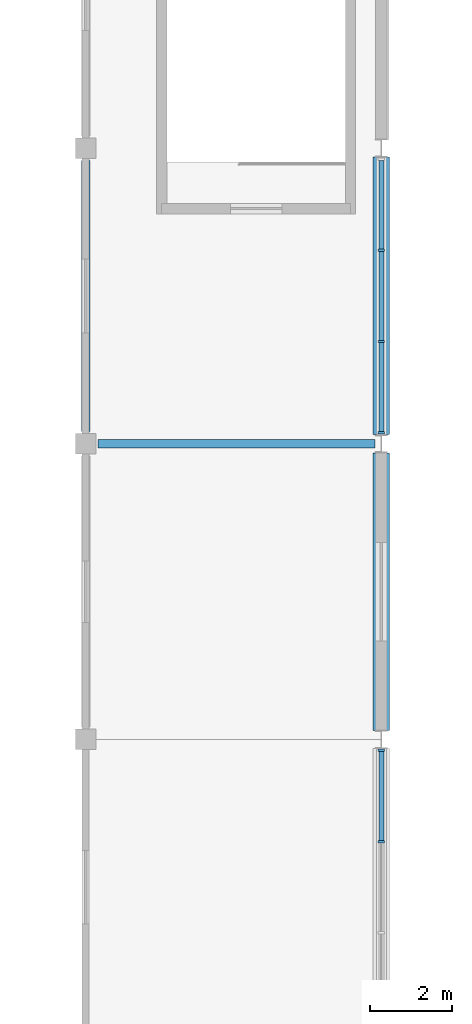
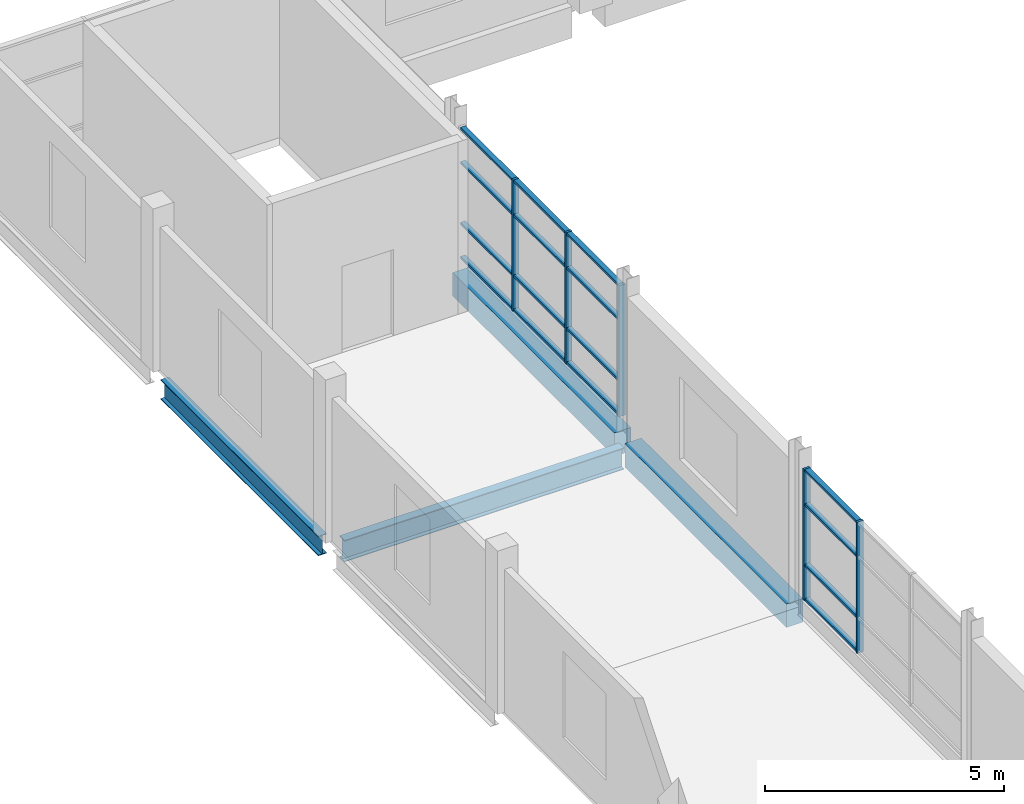
# One storey, part 18 of 71: 21 members, 4 beams, 2 elements without a shape of their own.
"""IFC4 building model written with IfcOpenShell, lengths in metres."""

from ifc_helpers import new_model, si_unit, direction, frame, origin, origin_2d, place, context, subcontext, project, spatial, rectangle, i_section, extrude, material, material_profile, profile_set, type_object, element, aggregate, save


model = new_model("IFC4")

# Units and contexts
model_context = context("Model", 3, precision=1e-05, world=origin(), true_north=direction((0.0, 1.0)))
body_context = subcontext(model_context, "Body", "Model", "MODEL_VIEW")
ifc_project = project(units=[si_unit("LENGTHUNIT", "METRE"), si_unit("AREAUNIT", "SQUARE_METRE"), si_unit("VOLUMEUNIT", "CUBIC_METRE"), si_unit("PLANEANGLEUNIT", "RADIAN"), si_unit("MASSUNIT", "GRAM", prefix="KILO")], contexts=[model_context])

# Site, building, storey
site_placement = place(None, origin())
site = spatial("IfcSite", under=ifc_project, at=site_placement, CompositionType="ELEMENT")
building_placement = place(site_placement, origin())
building = spatial("IfcBuilding", under=site, at=building_placement, Name="Sardonyx Promenade Sports Hall", CompositionType="ELEMENT")
storey_placement = place(building_placement, frame((0.0, 0.0, 16.0)))
storey = spatial("IfcBuildingStorey", under=building, at=storey_placement, Name="L03", CompositionType="ELEMENT", Elevation=16.0)

# Beams
ifc_material_1 = material(Name="Steel S355JR", Category="steel")
ifc_material_profile_1 = material_profile(ifc_material_1, i_section(OverallWidth=0.199951171875, OverallDepth=0.5, WebThickness=0.01025390625, FlangeThickness=0.01611328125, at=origin_2d()))
ifc_profile_set_1 = profile_set([ifc_material_profile_1], Name="Steel S355JR")
beam_type_1 = type_object("IfcBeamType", Name="Bm_Primary_IPE500", PredefinedType="BEAM", material=ifc_profile_set_1)
beam_1_placement = place(storey_placement, frame((21.60009765625, 57.89990234375, -0.449951171875), z_axis=(0.0, 1.0, 0.0), x_axis=(-1.0, 0.0, 0.0)))
element("IfcBeam", 1, at=beam_1_placement, inside=storey, type_object=beam_type_1, Name="Beam SB06 L03 #817", PredefinedType="BEAM", context=body_context, shape_type="SweptSolid", body=[
    extrude(i_section(OverallWidth=0.199951171875, OverallDepth=0.5, WebThickness=0.01025390625, FlangeThickness=0.01611328125, at=origin_2d()), origin(), (0.0, 0.0, 1.0), 6.60009765625),
])
ifc_material_2 = material(Name="Steel S355JR", Category="steel")
ifc_material_profile_2 = material_profile(ifc_material_2, i_section(OverallWidth=0.2099609375, OverallDepth=0.550048828125, WebThickness=0.010986328125, FlangeThickness=0.01708984375, at=origin_2d()))
ifc_profile_set_2 = profile_set([ifc_material_profile_2], Name="Steel S355JR")
beam_type_2 = type_object("IfcBeamType", Name="Bm_Primary_IPE550", PredefinedType="BEAM", material=ifc_profile_set_2)
beam_2_placement = place(storey_placement, frame((21.89990234375, 57.60009765625, -0.47509765625), z_axis=(1.0, 0.0, 0.0), x_axis=(0.0, 1.0, 0.0)))
element("IfcBeam", 2, at=beam_2_placement, inside=storey, type_object=beam_type_2, Name="Beam SB03 L03 #784", PredefinedType="BEAM", context=body_context, shape_type="SweptSolid", body=[
    extrude(i_section(OverallWidth=0.2099609375, OverallDepth=0.550048828125, WebThickness=0.010986328125, FlangeThickness=0.01708984375, at=origin_2d()), origin(), (0.0, 0.0, 1.0), 6.75),
])
ifc_material_3 = material(Name="Concrete C40/50", Category="concrete")
ifc_material_profile_3 = material_profile(ifc_material_3, rectangle(XDim=0.39990234375, YDim=0.60009765625, at=origin_2d()))
ifc_profile_set_3 = profile_set([ifc_material_profile_3], Name="Concrete C40/50")
beam_type_3 = type_object("IfcBeamType", Name="Bm_Spandrel_RC600", PredefinedType="SPANDREL", material=ifc_profile_set_3)
beam_3_placement = place(storey_placement, frame((28.800048828125, 50.6201171875, -0.300048828125), z_axis=(0.0, 1.0, 0.0), x_axis=(-1.0, 0.0, 0.0)))
element("IfcBeam", 3, at=beam_3_placement, inside=storey, type_object=beam_type_3, Name="Beam SPB1 L03 #826", PredefinedType="SPANDREL", context=body_context, shape_type="SweptSolid", body=[
    extrude(rectangle(XDim=0.39990234375, YDim=0.60009765625, at=origin_2d()), origin(), (0.0, 0.0, 1.0), 6.759765625),
])
beam_4_placement = place(storey_placement, frame((28.800048828125, 57.820068359375, -0.300048828125), z_axis=(0.0, 1.0, 0.0), x_axis=(-1.0, 0.0, 0.0)))
element("IfcBeam", 4, at=beam_4_placement, inside=storey, type_object=beam_type_3, Name="Beam SPB1 L03 #827", PredefinedType="SPANDREL", context=body_context, shape_type="SweptSolid", body=[
    extrude(rectangle(XDim=0.39990234375, YDim=0.60009765625, at=origin_2d()), origin(), (0.0, 0.0, 1.0), 6.760009765625),
])

# Curtain wall, members
ifc_material_4 = material(Name="Aluminium 6063-T6", Category="aluminium")
curtain_wall_type = type_object("IfcCurtainWallType", Name="CW_South_L03_640", PredefinedType="USERDEFINED", material=ifc_material_4)
curtain_wall_1_placement = place(storey_placement, origin())
curtain_wall_1 = element("IfcCurtainWall", 5, at=curtain_wall_1_placement, inside=storey, type_object=curtain_wall_type, Name="Curtain wall CW14 cw:L03:155", ObjectType="CURTAIN WALL", PredefinedType="USERDEFINED")
ifc_material_5 = material(Name="Aluminium 6063-T6", Category="aluminium")
ifc_material_profile_4 = material_profile(ifc_material_5, rectangle(XDim=0.06005859375, YDim=0.14990234375, at=origin_2d()))
ifc_profile_set_4 = profile_set([ifc_material_profile_4], Name="Aluminium 6063-T6")
member_type_1 = type_object("IfcMemberType", Name="CW_Mull_150", PredefinedType="MULLION", material=ifc_profile_set_4)
member_1_placement = place(storey_placement, frame((28.800048828125, 62.31005859375, 0.35009765625), z_axis=(0.0, 0.0, 1.0), x_axis=(0.0, -1.0, 0.0)))
member_1 = element("IfcMember", 6, at=member_1_placement, type_object=member_type_1, Name="Mullion CM01 cw:L03:155 #2", PredefinedType="MULLION", context=body_context, shape_type="SweptSolid", body=[
    extrude(rectangle(XDim=0.06005859375, YDim=0.14990234375, at=origin_2d()), origin(), (0.0, 0.0, 1.0), 3.35498046875),
])
member_2_placement = place(storey_placement, frame((28.800048828125, 60.090087890625, 0.35009765625), z_axis=(0.0, 0.0, 1.0), x_axis=(0.0, -1.0, 0.0)))
member_2 = element("IfcMember", 7, at=member_2_placement, type_object=member_type_1, Name="Mullion CM01 cw:L03:155 #3", PredefinedType="MULLION", context=body_context, shape_type="SweptSolid", body=[
    extrude(rectangle(XDim=0.06005859375, YDim=0.14990234375, at=origin_2d()), origin(), (0.0, 0.0, 1.0), 3.35498046875),
])
member_3_placement = place(storey_placement, frame((28.800048828125, 57.8701171875, 0.35009765625), z_axis=(0.0, 0.0, 1.0), x_axis=(0.0, -1.0, 0.0)))
member_3 = element("IfcMember", 8, at=member_3_placement, type_object=member_type_1, Name="Mullion CM01 cw:L03:155 #4", PredefinedType="MULLION", context=body_context, shape_type="SweptSolid", body=[
    extrude(rectangle(XDim=0.06005859375, YDim=0.14990234375, at=origin_2d()), origin(), (0.0, 0.0, 1.0), 3.35498046875),
])

curtain_wall_2_placement = place(storey_placement, origin())
curtain_wall_2 = element("IfcCurtainWall", 9, at=curtain_wall_2_placement, inside=storey, type_object=curtain_wall_type, Name="Curtain wall CW14 cw:L03:156", ObjectType="CURTAIN WALL", PredefinedType="USERDEFINED")
member_4_placement = place(storey_placement, frame((28.800048828125, 50.1298828125, 0.35009765625), z_axis=(0.0, 0.0, 1.0), x_axis=(0.0, -1.0, 0.0)))
member_4 = element("IfcMember", 10, at=member_4_placement, type_object=member_type_1, Name="Mullion CM01 cw:L03:156 #1", PredefinedType="MULLION", context=body_context, shape_type="SweptSolid", body=[
    extrude(rectangle(XDim=0.06005859375, YDim=0.14990234375, at=origin_2d()), origin(), (0.0, 0.0, 1.0), 3.35498046875),
])
member_5_placement = place(storey_placement, frame((28.800048828125, 47.909912109375, 0.35009765625), z_axis=(0.0, 0.0, 1.0), x_axis=(0.0, -1.0, 0.0)))
member_5 = element("IfcMember", 11, at=member_5_placement, type_object=member_type_1, Name="Mullion CM01 cw:L03:156 #2", PredefinedType="MULLION", context=body_context, shape_type="SweptSolid", body=[
    extrude(rectangle(XDim=0.06005859375, YDim=0.14990234375, at=origin_2d()), origin(), (0.0, 0.0, 1.0), 3.35498046875),
])

# Member
ifc_material_6 = material(Name="Aluminium 6063-T6", Category="aluminium")
ifc_material_profile_5 = material_profile(ifc_material_6, rectangle(XDim=0.06005859375, YDim=0.1201171875, at=origin_2d()))
ifc_profile_set_5 = profile_set([ifc_material_profile_5], Name="Aluminium 6063-T6")
member_type_2 = type_object("IfcMemberType", Name="CW_Tran_120", PredefinedType="USERDEFINED", material=ifc_profile_set_5)
member_6_placement = place(storey_placement, frame((28.800048828125, 64.5, 0.3798828125), z_axis=(0.0, -1.0, 0.0), x_axis=(0.0, 0.0, 1.0)))
member_6 = element("IfcMember", 12, at=member_6_placement, type_object=member_type_2, Name="Transom CT01 cw:L03:155 #1", ObjectType="TRANSOM", PredefinedType="USERDEFINED", context=body_context, shape_type="SweptSolid", body=[
    extrude(rectangle(XDim=0.06005859375, YDim=0.1201171875, at=origin_2d()), origin(), (0.0, 0.0, 1.0), 2.159912109375),
])

member_7_placement = place(storey_placement, frame((28.800048828125, 64.5, 1.25), z_axis=(0.0, -1.0, 0.0), x_axis=(0.0, 0.0, 1.0)))
member_7 = element("IfcMember", 13, at=member_7_placement, type_object=member_type_2, Name="Transom CT01 cw:L03:155 #2", ObjectType="TRANSOM", PredefinedType="USERDEFINED", context=body_context, shape_type="SweptSolid", body=[
    extrude(rectangle(XDim=0.06005859375, YDim=0.1201171875, at=origin_2d()), origin(), (0.0, 0.0, 1.0), 2.159912109375),
])

member_8_placement = place(storey_placement, frame((28.800048828125, 64.5, 2.800048828125), z_axis=(0.0, -1.0, 0.0), x_axis=(0.0, 0.0, 1.0)))
member_8 = element("IfcMember", 14, at=member_8_placement, type_object=member_type_2, Name="Transom CT01 cw:L03:155 #3", ObjectType="TRANSOM", PredefinedType="USERDEFINED", context=body_context, shape_type="SweptSolid", body=[
    extrude(rectangle(XDim=0.06005859375, YDim=0.1201171875, at=origin_2d()), origin(), (0.0, 0.0, 1.0), 2.159912109375),
])

member_9_placement = place(storey_placement, frame((28.800048828125, 64.5, 3.675048828125), z_axis=(0.0, -1.0, 0.0), x_axis=(0.0, 0.0, 1.0)))
member_9 = element("IfcMember", 15, at=member_9_placement, type_object=member_type_2, Name="Transom CT01 cw:L03:155 #4", ObjectType="TRANSOM", PredefinedType="USERDEFINED", context=body_context, shape_type="SweptSolid", body=[
    extrude(rectangle(XDim=0.06005859375, YDim=0.1201171875, at=origin_2d()), origin(), (0.0, 0.0, 1.0), 2.159912109375),
])

member_10_placement = place(storey_placement, frame((28.800048828125, 62.280029296875, 0.3798828125), z_axis=(0.0, -1.0, 0.0), x_axis=(0.0, 0.0, 1.0)))
member_10 = element("IfcMember", 16, at=member_10_placement, type_object=member_type_2, Name="Transom CT01 cw:L03:155 #5", ObjectType="TRANSOM", PredefinedType="USERDEFINED", context=body_context, shape_type="SweptSolid", body=[
    extrude(rectangle(XDim=0.06005859375, YDim=0.1201171875, at=origin_2d()), origin(), (0.0, 0.0, 1.0), 2.159912109375),
])

member_11_placement = place(storey_placement, frame((28.800048828125, 62.280029296875, 1.25), z_axis=(0.0, -1.0, 0.0), x_axis=(0.0, 0.0, 1.0)))
member_11 = element("IfcMember", 17, at=member_11_placement, type_object=member_type_2, Name="Transom CT01 cw:L03:155 #6", ObjectType="TRANSOM", PredefinedType="USERDEFINED", context=body_context, shape_type="SweptSolid", body=[
    extrude(rectangle(XDim=0.06005859375, YDim=0.1201171875, at=origin_2d()), origin(), (0.0, 0.0, 1.0), 2.159912109375),
])

member_12_placement = place(storey_placement, frame((28.800048828125, 62.280029296875, 2.800048828125), z_axis=(0.0, -1.0, 0.0), x_axis=(0.0, 0.0, 1.0)))
member_12 = element("IfcMember", 18, at=member_12_placement, type_object=member_type_2, Name="Transom CT01 cw:L03:155 #7", ObjectType="TRANSOM", PredefinedType="USERDEFINED", context=body_context, shape_type="SweptSolid", body=[
    extrude(rectangle(XDim=0.06005859375, YDim=0.1201171875, at=origin_2d()), origin(), (0.0, 0.0, 1.0), 2.159912109375),
])

member_13_placement = place(storey_placement, frame((28.800048828125, 62.280029296875, 3.675048828125), z_axis=(0.0, -1.0, 0.0), x_axis=(0.0, 0.0, 1.0)))
member_13 = element("IfcMember", 19, at=member_13_placement, type_object=member_type_2, Name="Transom CT01 cw:L03:155 #8", ObjectType="TRANSOM", PredefinedType="USERDEFINED", context=body_context, shape_type="SweptSolid", body=[
    extrude(rectangle(XDim=0.06005859375, YDim=0.1201171875, at=origin_2d()), origin(), (0.0, 0.0, 1.0), 2.159912109375),
])

member_14_placement = place(storey_placement, frame((28.800048828125, 60.06005859375, 0.3798828125), z_axis=(0.0, -1.0, 0.0), x_axis=(0.0, 0.0, 1.0)))
member_14 = element("IfcMember", 20, at=member_14_placement, type_object=member_type_2, Name="Transom CT01 cw:L03:155 #9", ObjectType="TRANSOM", PredefinedType="USERDEFINED", context=body_context, shape_type="SweptSolid", body=[
    extrude(rectangle(XDim=0.06005859375, YDim=0.1201171875, at=origin_2d()), origin(), (0.0, 0.0, 1.0), 2.16015625),
])

member_15_placement = place(storey_placement, frame((28.800048828125, 60.06005859375, 1.25), z_axis=(0.0, -1.0, 0.0), x_axis=(0.0, 0.0, 1.0)))
member_15 = element("IfcMember", 21, at=member_15_placement, type_object=member_type_2, Name="Transom CT01 cw:L03:155 #10", ObjectType="TRANSOM", PredefinedType="USERDEFINED", context=body_context, shape_type="SweptSolid", body=[
    extrude(rectangle(XDim=0.06005859375, YDim=0.1201171875, at=origin_2d()), origin(), (0.0, 0.0, 1.0), 2.16015625),
])

member_16_placement = place(storey_placement, frame((28.800048828125, 60.06005859375, 2.800048828125), z_axis=(0.0, -1.0, 0.0), x_axis=(0.0, 0.0, 1.0)))
member_16 = element("IfcMember", 22, at=member_16_placement, type_object=member_type_2, Name="Transom CT01 cw:L03:155 #11", ObjectType="TRANSOM", PredefinedType="USERDEFINED", context=body_context, shape_type="SweptSolid", body=[
    extrude(rectangle(XDim=0.06005859375, YDim=0.1201171875, at=origin_2d()), origin(), (0.0, 0.0, 1.0), 2.16015625),
])

member_17_placement = place(storey_placement, frame((28.800048828125, 60.06005859375, 3.675048828125), z_axis=(0.0, -1.0, 0.0), x_axis=(0.0, 0.0, 1.0)))
member_17 = element("IfcMember", 23, at=member_17_placement, type_object=member_type_2, Name="Transom CT01 cw:L03:155 #12", ObjectType="TRANSOM", PredefinedType="USERDEFINED", context=body_context, shape_type="SweptSolid", body=[
    extrude(rectangle(XDim=0.06005859375, YDim=0.1201171875, at=origin_2d()), origin(), (0.0, 0.0, 1.0), 2.16015625),
])

aggregate(curtain_wall_1, [member_1, member_2, member_3, member_6, member_7, member_8, member_9, member_10, member_11, member_12, member_13, member_14, member_15, member_16, member_17])

member_18_placement = place(storey_placement, frame((28.800048828125, 50.10009765625, 0.3798828125), z_axis=(0.0, -1.0, 0.0), x_axis=(0.0, 0.0, 1.0)))
member_18 = element("IfcMember", 24, at=member_18_placement, type_object=member_type_2, Name="Transom CT01 cw:L03:156 #1", ObjectType="TRANSOM", PredefinedType="USERDEFINED", context=body_context, shape_type="SweptSolid", body=[
    extrude(rectangle(XDim=0.06005859375, YDim=0.1201171875, at=origin_2d()), origin(), (0.0, 0.0, 1.0), 2.16015625),
])

member_19_placement = place(storey_placement, frame((28.800048828125, 50.10009765625, 1.25), z_axis=(0.0, -1.0, 0.0), x_axis=(0.0, 0.0, 1.0)))
member_19 = element("IfcMember", 25, at=member_19_placement, type_object=member_type_2, Name="Transom CT01 cw:L03:156 #2", ObjectType="TRANSOM", PredefinedType="USERDEFINED", context=body_context, shape_type="SweptSolid", body=[
    extrude(rectangle(XDim=0.06005859375, YDim=0.1201171875, at=origin_2d()), origin(), (0.0, 0.0, 1.0), 2.16015625),
])

member_20_placement = place(storey_placement, frame((28.800048828125, 50.10009765625, 2.800048828125), z_axis=(0.0, -1.0, 0.0), x_axis=(0.0, 0.0, 1.0)))
member_20 = element("IfcMember", 26, at=member_20_placement, type_object=member_type_2, Name="Transom CT01 cw:L03:156 #3", ObjectType="TRANSOM", PredefinedType="USERDEFINED", context=body_context, shape_type="SweptSolid", body=[
    extrude(rectangle(XDim=0.06005859375, YDim=0.1201171875, at=origin_2d()), origin(), (0.0, 0.0, 1.0), 2.16015625),
])

member_21_placement = place(storey_placement, frame((28.800048828125, 50.10009765625, 3.675048828125), z_axis=(0.0, -1.0, 0.0), x_axis=(0.0, 0.0, 1.0)))
member_21 = element("IfcMember", 27, at=member_21_placement, type_object=member_type_2, Name="Transom CT01 cw:L03:156 #4", ObjectType="TRANSOM", PredefinedType="USERDEFINED", context=body_context, shape_type="SweptSolid", body=[
    extrude(rectangle(XDim=0.06005859375, YDim=0.1201171875, at=origin_2d()), origin(), (0.0, 0.0, 1.0), 2.16015625),
])

aggregate(curtain_wall_2, [member_4, member_5, member_18, member_19, member_20, member_21])

save(model, "model.ifc")
